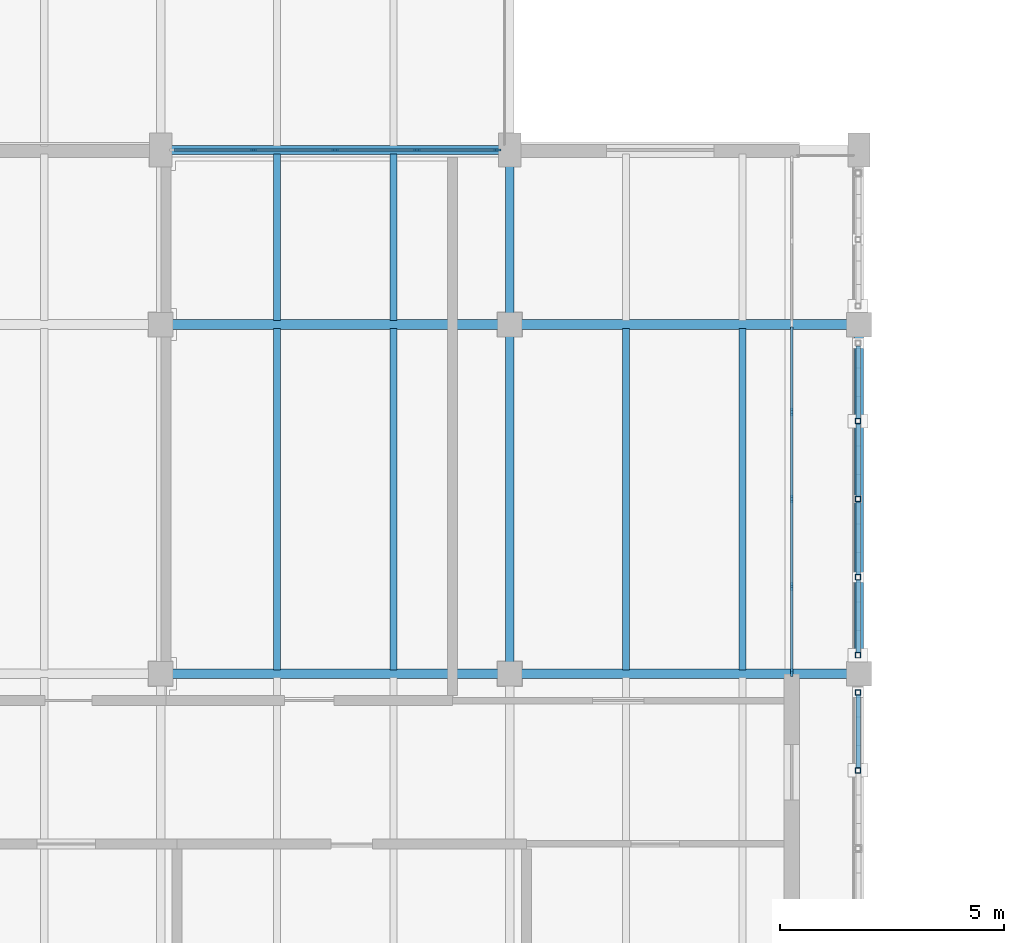
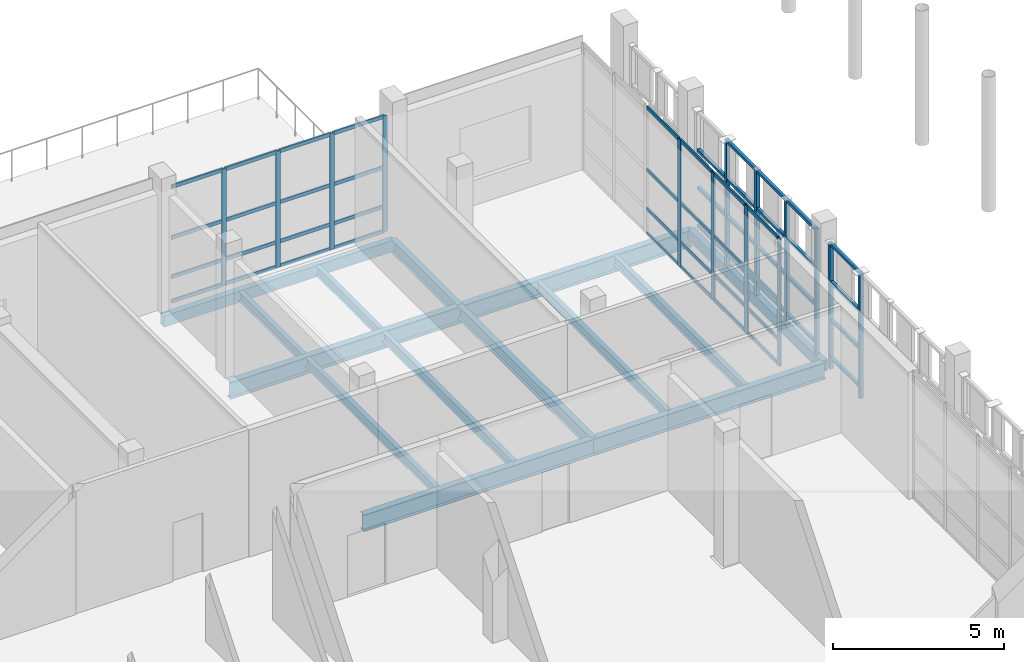
# One storey, part 37 of 138: 65 members, 14 beams, 2 elements without a shape of their own.
"""IFC4 building model written with IfcOpenShell, lengths in metres."""

from ifc_helpers import new_model, si_unit, direction, frame, origin, origin_2d, place, context, subcontext, project, spatial, rectangle, hollow_rectangle, i_section, extrude, material, layer, layer_set, material_profile, profile_set, type_object, element, aggregate, save


model = new_model("IFC4")

# Units and contexts
model_context = context("Model", 3, precision=1e-05, world=origin(), true_north=direction((0.0, 1.0)))
body_context = subcontext(model_context, "Body", "Model", "MODEL_VIEW")
ifc_project = project(units=[si_unit("LENGTHUNIT", "METRE"), si_unit("AREAUNIT", "SQUARE_METRE"), si_unit("VOLUMEUNIT", "CUBIC_METRE"), si_unit("PLANEANGLEUNIT", "RADIAN"), si_unit("MASSUNIT", "GRAM", prefix="KILO")], contexts=[model_context])

# Site, building, storey
site_placement = place(None, origin())
site = spatial("IfcSite", under=ifc_project, at=site_placement, CompositionType="ELEMENT")
building_placement = place(site_placement, origin())
building = spatial("IfcBuilding", under=site, at=building_placement, Name="Celorna Specialist Clinic", CompositionType="ELEMENT")
storey_placement = place(building_placement, frame((0.0, 0.0, 4.800048828125)))
storey = spatial("IfcBuildingStorey", under=building, at=storey_placement, Name="L01", CompositionType="ELEMENT", Elevation=4.800048828125)

# Beams
ifc_material_1 = material(Name="Steel S355", Category="steel")
ifc_material_profile_1 = material_profile(ifc_material_1, i_section(OverallWidth=0.219970703125, OverallDepth=0.60009765625, WebThickness=0.011962890625, FlangeThickness=0.01904296875, at=origin_2d()), Name="IPE 600")
ifc_profile_set_1 = profile_set([ifc_material_profile_1], Name="Steel S355")
beam_type_1 = type_object("IfcBeamType", Name="BM-06", PredefinedType="BEAM", material=ifc_profile_set_1)
for number, where, z_axis, x_axis, name in (
    (1, (31.199951171875, 50.699951171875, -0.64013671875), (1.0, 0.0, 0.0), (0.0, 1.0, 0.0), "Primary girder BM-06 #373"),
    (2, (39.0, 50.699951171875, -0.64013671875), (1.0, 0.0, 0.0), (0.0, 1.0, 0.0), "Primary girder BM-06 #374"),
    (3, (31.199951171875, 58.5, -0.64013671875), (1.0, 0.0, 0.0), (0.0, 1.0, 0.0), "Primary girder BM-06 #378"),
    (4, (39.0, 58.5, -0.64013671875), (1.0, 0.0, 0.0), (0.0, 1.0, 0.0), "Primary girder BM-06 #379"),
):
    element("IfcBeam", number, at=place(storey_placement, frame(where, z_axis=z_axis, x_axis=x_axis)), inside=storey, type_object=beam_type_1, Name=name, PredefinedType="BEAM", context=body_context, shape_type="SweptSolid", body=[
        extrude(i_section(OverallWidth=0.219970703125, OverallDepth=0.60009765625, WebThickness=0.011962890625, FlangeThickness=0.01904296875, at=origin_2d()), origin(), (0.0, 0.0, 1.0), 7.800048828125),
    ])
ifc_material_profile_2 = material_profile(ifc_material_1, i_section(OverallWidth=0.18994140625, OverallDepth=0.449951171875, WebThickness=0.009521484375, FlangeThickness=0.0146484375, at=origin_2d()), Name="IPE 450")
ifc_profile_set_2 = profile_set([ifc_material_profile_2], Name="Steel S355")
beam_type_2 = type_object("IfcBeamType", Name="BM-09", PredefinedType="BEAM", material=ifc_profile_set_2)
beam_1_placement = place(storey_placement, frame((39.0, 50.699951171875, -0.56494140625), z_axis=(0.0, 1.0, 0.0), x_axis=(-1.0, 0.0, 0.0)))
element("IfcBeam", 5, at=beam_1_placement, inside=storey, type_object=beam_type_2, Name="Transverse girder BM-09 #408", PredefinedType="BEAM", context=body_context, shape_type="SweptSolid", body=[
    extrude(i_section(OverallWidth=0.18994140625, OverallDepth=0.449951171875, WebThickness=0.009521484375, FlangeThickness=0.0146484375, at=origin_2d()), origin(), (0.0, 0.0, 1.0), 7.800048828125),
])
beam_2_placement = place(storey_placement, frame((39.0, 58.5, -0.56494140625), z_axis=(0.0, 1.0, 0.0), x_axis=(-1.0, 0.0, 0.0)))
element("IfcBeam", 6, at=beam_2_placement, inside=storey, type_object=beam_type_2, Name="Transverse girder BM-09 #409", PredefinedType="BEAM", context=body_context, shape_type="SweptSolid", body=[
    extrude(i_section(OverallWidth=0.18994140625, OverallDepth=0.449951171875, WebThickness=0.009521484375, FlangeThickness=0.0146484375, at=origin_2d()), origin(), (0.0, 0.0, 1.0), 3.89990234375),
])
ifc_material_profile_3 = material_profile(ifc_material_1, i_section(OverallWidth=0.159912109375, OverallDepth=0.330078125, WebThickness=0.007568359375, FlangeThickness=0.011474609375, at=origin_2d()), Name="IPE 330")
ifc_profile_set_3 = profile_set([ifc_material_profile_3], Name="Steel S355")
beam_type_3 = type_object("IfcBeamType", Name="BM-12", PredefinedType="JOIST", material=ifc_profile_set_3)
for number, where, z_axis, x_axis, name in (
    (7, (33.800048828125, 50.7880859375, -0.505126953125), (0.0, 1.0, 0.0), (-1.0, 0.0, 0.0), "Secondary floor joist BM-12 #442"),
    (8, (36.39990234375, 50.7880859375, -0.505126953125), (0.0, 1.0, 0.0), (-1.0, 0.0, 0.0), "Secondary floor joist BM-12 #443"),
):
    element("IfcBeam", number, at=place(storey_placement, frame(where, z_axis=z_axis, x_axis=x_axis)), inside=storey, type_object=beam_type_3, Name=name, PredefinedType="JOIST", context=body_context, shape_type="SweptSolid", body=[
        extrude(i_section(OverallWidth=0.159912109375, OverallDepth=0.330078125, WebThickness=0.007568359375, FlangeThickness=0.011474609375, at=origin_2d()), origin(), (0.0, 0.0, 1.0), 7.6240234375),
    ])
for number, where, z_axis, x_axis, name in (
    (9, (33.800048828125, 58.587890625, -0.505126953125), (0.0, 1.0, 0.0), (-1.0, 0.0, 0.0), "Secondary floor joist BM-12 #444"),
    (10, (36.39990234375, 58.587890625, -0.505126953125), (0.0, 1.0, 0.0), (-1.0, 0.0, 0.0), "Secondary floor joist BM-12 #445"),
):
    element("IfcBeam", number, at=place(storey_placement, frame(where, z_axis=z_axis, x_axis=x_axis)), inside=storey, type_object=beam_type_3, Name=name, PredefinedType="JOIST", context=body_context, shape_type="SweptSolid", body=[
        extrude(i_section(OverallWidth=0.159912109375, OverallDepth=0.330078125, WebThickness=0.007568359375, FlangeThickness=0.011474609375, at=origin_2d()), origin(), (0.0, 0.0, 1.0), 3.72412109375),
    ])
for number, where, z_axis, x_axis, name in (
    (11, (41.60009765625, 50.7880859375, -0.505126953125), (0.0, 1.0, 0.0), (-1.0, 0.0, 0.0), "Secondary floor joist BM-12 #450"),
    (12, (44.199951171875, 50.7880859375, -0.505126953125), (0.0, 1.0, 0.0), (-1.0, 0.0, 0.0), "Secondary floor joist BM-12 #451"),
):
    element("IfcBeam", number, at=place(storey_placement, frame(where, z_axis=z_axis, x_axis=x_axis)), inside=storey, type_object=beam_type_3, Name=name, PredefinedType="JOIST", context=body_context, shape_type="SweptSolid", body=[
        extrude(i_section(OverallWidth=0.159912109375, OverallDepth=0.330078125, WebThickness=0.007568359375, FlangeThickness=0.011474609375, at=origin_2d()), origin(), (0.0, 0.0, 1.0), 7.6240234375),
    ])
ifc_material_profile_4 = material_profile(ifc_material_1, hollow_rectangle(XDim=0.199951171875, YDim=0.39990234375, WallThickness=0.011962890625, at=origin_2d()), Name="RHS 200x400x12")
ifc_profile_set_4 = profile_set([ifc_material_profile_4], Name="Steel S355")
beam_type_4 = type_object("IfcBeamType", Name="BM-15", PredefinedType="SPANDREL", material=ifc_profile_set_4)
for number, where, z_axis, x_axis, name in (
    (13, (31.199951171875, 62.39990234375, -0.5400390625), (1.0, 0.0, 0.0), (0.0, 1.0, 0.0), "Spandrel beam BM-15 #384"),
    (14, (46.800048828125, 50.699951171875, -0.5400390625), (0.0, 1.0, 0.0), (-1.0, 0.0, 0.0), "Spandrel beam BM-15 #412"),
):
    element("IfcBeam", number, at=place(storey_placement, frame(where, z_axis=z_axis, x_axis=x_axis)), inside=storey, type_object=beam_type_4, Name=name, PredefinedType="SPANDREL", context=body_context, shape_type="SweptSolid", body=[
        extrude(hollow_rectangle(XDim=0.199951171875, YDim=0.39990234375, WallThickness=0.011962890625, at=origin_2d()), origin(), (0.0, 0.0, 1.0), 7.800048828125),
    ])

# Members
ifc_material_profile_5 = material_profile(ifc_material_1, hollow_rectangle(XDim=0.1201171875, YDim=0.1201171875, WallThickness=0.008056640625, at=origin_2d()), Name="SHS 120x120x8")
ifc_profile_set_5 = profile_set([ifc_material_profile_5], Name="Steel S355")
member_type_1 = type_object("IfcMemberType", Name="MB-11", PredefinedType="STUD", material=ifc_profile_set_5)
for number, where, z_axis, x_axis, name in (
    (15, (46.780029296875, 48.54248046875, -0.360107421875), (0.0, 0.0, 1.0), (1.0, 0.0, 0.0), "Perforated screen steel post #1489"),
    (16, (46.780029296875, 50.284912109375, -0.360107421875), (0.0, 0.0, 1.0), (1.0, 0.0, 0.0), "Perforated screen steel post #1490"),
    (17, (46.780029296875, 51.114990234375, -0.360107421875), (0.0, 0.0, 1.0), (1.0, 0.0, 0.0), "Perforated screen steel post #1507"),
    (18, (46.780029296875, 52.857421875, -0.360107421875), (0.0, 0.0, 1.0), (1.0, 0.0, 0.0), "Perforated screen steel post #1508"),
    (19, (46.780029296875, 54.60009765625, -0.360107421875), (0.0, 0.0, 1.0), (1.0, 0.0, 0.0), "Perforated screen steel post #1509"),
    (20, (46.780029296875, 56.342529296875, -0.360107421875), (0.0, 0.0, 1.0), (1.0, 0.0, 0.0), "Perforated screen steel post #1510"),
):
    element("IfcMember", number, at=place(storey_placement, frame(where, z_axis=z_axis, x_axis=x_axis)), inside=storey, type_object=member_type_1, Name=name, PredefinedType="STUD", context=body_context, shape_type="SweptSolid", body=[
        extrude(hollow_rectangle(XDim=0.1201171875, YDim=0.1201171875, WallThickness=0.008056640625, at=origin_2d()), origin(), (0.0, 0.0, 1.0), 4.5),
    ])
ifc_material_profile_6 = material_profile(ifc_material_1, hollow_rectangle(XDim=0.10009765625, YDim=0.10009765625, WallThickness=0.006103515625, at=origin_2d()), Name="SHS 100x100x6")
ifc_profile_set_6 = profile_set([ifc_material_profile_6], Name="Steel S355")
member_type_2 = type_object("IfcMemberType", Name="MB-12", PredefinedType="STUD", material=ifc_profile_set_6)
for number, where, z_axis, x_axis, name in (
    (21, (46.780029296875, 48.6025390625, 0.050048828125), (0.0, 1.0, 0.0), (-1.0, 0.0, 0.0), "Perforated screen rail #1503"),
    (22, (46.780029296875, 48.6025390625, 1.396728515625), (0.0, 1.0, 0.0), (-1.0, 0.0, 0.0), "Perforated screen rail #1504"),
    (23, (46.780029296875, 48.6025390625, 2.7431640625), (0.0, 1.0, 0.0), (-1.0, 0.0, 0.0), "Perforated screen rail #1505"),
    (24, (46.780029296875, 48.6025390625, 4.08984375), (0.0, 1.0, 0.0), (-1.0, 0.0, 0.0), "Perforated screen rail #1506"),
    (25, (46.780029296875, 51.175048828125, 0.050048828125), (0.0, 1.0, 0.0), (-1.0, 0.0, 0.0), "Perforated screen rail #1512"),
    (26, (46.780029296875, 51.175048828125, 1.396728515625), (0.0, 1.0, 0.0), (-1.0, 0.0, 0.0), "Perforated screen rail #1513"),
    (27, (46.780029296875, 51.175048828125, 2.7431640625), (0.0, 1.0, 0.0), (-1.0, 0.0, 0.0), "Perforated screen rail #1514"),
    (28, (46.780029296875, 51.175048828125, 4.08984375), (0.0, 1.0, 0.0), (-1.0, 0.0, 0.0), "Perforated screen rail #1515"),
    (29, (46.780029296875, 52.91748046875, 0.050048828125), (0.0, 1.0, 0.0), (-1.0, 0.0, 0.0), "Perforated screen rail #1516"),
    (30, (46.780029296875, 52.91748046875, 1.396728515625), (0.0, 1.0, 0.0), (-1.0, 0.0, 0.0), "Perforated screen rail #1517"),
    (31, (46.780029296875, 52.91748046875, 2.7431640625), (0.0, 1.0, 0.0), (-1.0, 0.0, 0.0), "Perforated screen rail #1518"),
    (32, (46.780029296875, 52.91748046875, 4.08984375), (0.0, 1.0, 0.0), (-1.0, 0.0, 0.0), "Perforated screen rail #1519"),
    (33, (46.780029296875, 54.659912109375, 0.050048828125), (0.0, 1.0, 0.0), (-1.0, 0.0, 0.0), "Perforated screen rail #1520"),
    (34, (46.780029296875, 54.659912109375, 1.396728515625), (0.0, 1.0, 0.0), (-1.0, 0.0, 0.0), "Perforated screen rail #1521"),
    (35, (46.780029296875, 54.659912109375, 2.7431640625), (0.0, 1.0, 0.0), (-1.0, 0.0, 0.0), "Perforated screen rail #1522"),
    (36, (46.780029296875, 54.659912109375, 4.08984375), (0.0, 1.0, 0.0), (-1.0, 0.0, 0.0), "Perforated screen rail #1523"),
):
    element("IfcMember", number, at=place(storey_placement, frame(where, z_axis=z_axis, x_axis=x_axis)), inside=storey, type_object=member_type_2, Name=name, PredefinedType="STUD", context=body_context, shape_type="SweptSolid", body=[
        extrude(hollow_rectangle(XDim=0.10009765625, YDim=0.10009765625, WallThickness=0.006103515625, at=origin_2d()), origin(), (0.0, 0.0, 1.0), 1.62255859375),
    ])
for number, where, z_axis, x_axis, name in (
    (37, (46.780029296875, 56.402587890625, 0.050048828125), (0.0, 1.0, 0.0), (-1.0, 0.0, 0.0), "Perforated screen rail #1524"),
    (38, (46.780029296875, 56.402587890625, 1.396728515625), (0.0, 1.0, 0.0), (-1.0, 0.0, 0.0), "Perforated screen rail #1525"),
    (39, (46.780029296875, 56.402587890625, 2.7431640625), (0.0, 1.0, 0.0), (-1.0, 0.0, 0.0), "Perforated screen rail #1526"),
):
    element("IfcMember", number, at=place(storey_placement, frame(where, z_axis=z_axis, x_axis=x_axis)), inside=storey, type_object=member_type_2, Name=name, PredefinedType="STUD", context=body_context, shape_type="SweptSolid", body=[
        extrude(hollow_rectangle(XDim=0.10009765625, YDim=0.10009765625, WallThickness=0.006103515625, at=origin_2d()), origin(), (0.0, 0.0, 1.0), 1.622314453125),
    ])

# Curtain wall, members
ifc_material_2 = material(Name="Thermally broken aluminium and solar-control glass curtain wall", Category="aluminium")
ifc_layer_1 = layer(ifc_material_2, 0.159912109375, Name="Thermally broken aluminium and solar-control glass curtain wall")
ifc_layer_set_1 = layer_set([ifc_layer_1], Name="Thermally broken aluminium and solar-control glass curtain wall")
curtain_wall_type_1 = type_object("IfcCurtainWallType", Name="CW-23", PredefinedType="NOTDEFINED", material=ifc_layer_set_1)
curtain_wall_1_placement = place(storey_placement, origin())
curtain_wall_1 = element("IfcCurtainWall", 40, at=curtain_wall_1_placement, inside=storey, type_object=curtain_wall_type_1, Name="Curtain wall CW-23 #53", PredefinedType="NOTDEFINED")
ifc_material_3 = material(Name="Anodized aluminium mullion", Category="aluminium")
ifc_material_profile_7 = material_profile(ifc_material_3, rectangle(XDim=0.050048828125, YDim=0.159912109375, at=origin_2d()), Name="ALU MULLION 50x160")
ifc_profile_set_7 = profile_set([ifc_material_profile_7], Name="Anodized aluminium mullion")
member_type_3 = type_object("IfcMemberType", Name="ML-01", PredefinedType="MULLION", material=ifc_profile_set_7)
member_1_placement = place(storey_placement, frame((33.277099609375, 62.39990234375, 0.0), z_axis=(0.0, 0.0, 1.0), x_axis=(0.0, 1.0, 0.0)))
member_1 = element("IfcMember", 41, at=member_1_placement, type_object=member_type_3, Name="CW-23 mullion 2", PredefinedType="MULLION", context=body_context, shape_type="SweptSolid", body=[
    extrude(rectangle(XDim=0.050048828125, YDim=0.159912109375, at=origin_2d()), origin(), (0.0, 0.0, 1.0), 4.139892578125),
])
member_2_placement = place(storey_placement, frame((35.10009765625, 62.39990234375, 0.0), z_axis=(0.0, 0.0, 1.0), x_axis=(0.0, 1.0, 0.0)))
member_2 = element("IfcMember", 42, at=member_2_placement, type_object=member_type_3, Name="CW-23 mullion 3", PredefinedType="MULLION", context=body_context, shape_type="SweptSolid", body=[
    extrude(rectangle(XDim=0.050048828125, YDim=0.159912109375, at=origin_2d()), origin(), (0.0, 0.0, 1.0), 4.139892578125),
])
member_3_placement = place(storey_placement, frame((36.923095703125, 62.39990234375, 0.0), z_axis=(0.0, 0.0, 1.0), x_axis=(0.0, 1.0, 0.0)))
member_3 = element("IfcMember", 43, at=member_3_placement, type_object=member_type_3, Name="CW-23 mullion 4", PredefinedType="MULLION", context=body_context, shape_type="SweptSolid", body=[
    extrude(rectangle(XDim=0.050048828125, YDim=0.159912109375, at=origin_2d()), origin(), (0.0, 0.0, 1.0), 4.139892578125),
])
member_4_placement = place(storey_placement, frame((38.720947265625, 62.39990234375, 0.0), z_axis=(0.0, 0.0, 1.0), x_axis=(0.0, 1.0, 0.0)))
member_4 = element("IfcMember", 44, at=member_4_placement, type_object=member_type_3, Name="CW-23 mullion 5", PredefinedType="MULLION", context=body_context, shape_type="SweptSolid", body=[
    extrude(rectangle(XDim=0.050048828125, YDim=0.159912109375, at=origin_2d()), origin(), (0.0, 0.0, 1.0), 4.139892578125),
])

ifc_layer_2 = layer(ifc_material_2, 0.159912109375, Name="Thermally broken aluminium and solar-control glass curtain wall")
ifc_layer_set_2 = layer_set([ifc_layer_2], Name="Thermally broken aluminium and solar-control glass curtain wall")
curtain_wall_type_2 = type_object("IfcCurtainWallType", Name="CW-26", PredefinedType="NOTDEFINED", material=ifc_layer_set_2)
curtain_wall_2_placement = place(storey_placement, origin())
curtain_wall_2 = element("IfcCurtainWall", 45, at=curtain_wall_2_placement, inside=storey, type_object=curtain_wall_type_2, Name="Curtain wall CW-26 #55", PredefinedType="NOTDEFINED")
ifc_material_profile_8 = material_profile(ifc_material_3, rectangle(XDim=0.050048828125, YDim=0.179931640625, at=origin_2d()), Name="ALU MULLION 50x180")
ifc_profile_set_8 = profile_set([ifc_material_profile_8], Name="Anodized aluminium mullion")
member_type_4 = type_object("IfcMemberType", Name="ML-02", PredefinedType="MULLION", material=ifc_profile_set_8)
member_5_placement = place(storey_placement, frame((45.300048828125, 56.548095703125, 0.0), z_axis=(0.0, 0.0, 1.0), x_axis=(1.0, 0.0, 0.0)))
member_5 = element("IfcMember", 46, at=member_5_placement, type_object=member_type_4, Name="CW-26 mullion 2", PredefinedType="MULLION", context=body_context, shape_type="SweptSolid", body=[
    extrude(rectangle(XDim=0.050048828125, YDim=0.179931640625, at=origin_2d()), origin(), (0.0, 0.0, 1.0), 4.5400390625),
])
member_6_placement = place(storey_placement, frame((45.300048828125, 54.60009765625, 0.0), z_axis=(0.0, 0.0, 1.0), x_axis=(1.0, 0.0, 0.0)))
member_6 = element("IfcMember", 47, at=member_6_placement, type_object=member_type_4, Name="CW-26 mullion 3", PredefinedType="MULLION", context=body_context, shape_type="SweptSolid", body=[
    extrude(rectangle(XDim=0.050048828125, YDim=0.179931640625, at=origin_2d()), origin(), (0.0, 0.0, 1.0), 4.5400390625),
])
member_7_placement = place(storey_placement, frame((45.300048828125, 52.652099609375, 0.0), z_axis=(0.0, 0.0, 1.0), x_axis=(1.0, 0.0, 0.0)))
member_7 = element("IfcMember", 48, at=member_7_placement, type_object=member_type_4, Name="CW-26 mullion 4", PredefinedType="MULLION", context=body_context, shape_type="SweptSolid", body=[
    extrude(rectangle(XDim=0.050048828125, YDim=0.179931640625, at=origin_2d()), origin(), (0.0, 0.0, 1.0), 4.5400390625),
])
member_8_placement = place(storey_placement, frame((45.300048828125, 50.72900390625, 0.0), z_axis=(0.0, 0.0, 1.0), x_axis=(1.0, 0.0, 0.0)))
member_8 = element("IfcMember", 49, at=member_8_placement, type_object=member_type_4, Name="CW-26 mullion 5", PredefinedType="MULLION", context=body_context, shape_type="SweptSolid", body=[
    extrude(rectangle(XDim=0.050048828125, YDim=0.179931640625, at=origin_2d()), origin(), (0.0, 0.0, 1.0), 4.5400390625),
])

# Member
ifc_material_4 = material(Name="Anodized aluminium transom", Category="aluminium")
ifc_material_profile_9 = material_profile(ifc_material_4, rectangle(XDim=0.050048828125, YDim=0.1298828125, at=origin_2d()), Name="ALU TRANSOM 50x130")
ifc_profile_set_9 = profile_set([ifc_material_profile_9], Name="Anodized aluminium transom")
member_type_5 = type_object("IfcMemberType", Name="TR-01", PredefinedType="USERDEFINED", material=ifc_profile_set_9)
member_9_placement = place(storey_placement, frame((31.50390625, 62.39990234375, 0.02490234375), z_axis=(1.0, 0.0, 0.0), x_axis=(0.0, 1.0, 0.0)))
member_9 = element("IfcMember", 50, at=member_9_placement, type_object=member_type_5, Name="CW-23 transom 1.1", ObjectType="TRANSOM", PredefinedType="USERDEFINED", context=body_context, shape_type="SweptSolid", body=[
    extrude(rectangle(XDim=0.050048828125, YDim=0.1298828125, at=origin_2d()), origin(), (0.0, 0.0, 1.0), 1.748046875),
])

member_10_placement = place(storey_placement, frame((31.50390625, 62.39990234375, 0.89990234375), z_axis=(1.0, 0.0, 0.0), x_axis=(0.0, 1.0, 0.0)))
member_10 = element("IfcMember", 51, at=member_10_placement, type_object=member_type_5, Name="CW-23 transom 1.2", ObjectType="TRANSOM", PredefinedType="USERDEFINED", context=body_context, shape_type="SweptSolid", body=[
    extrude(rectangle(XDim=0.050048828125, YDim=0.1298828125, at=origin_2d()), origin(), (0.0, 0.0, 1.0), 1.748046875),
])

member_11_placement = place(storey_placement, frame((31.50390625, 62.39990234375, 2.300048828125), z_axis=(1.0, 0.0, 0.0), x_axis=(0.0, 1.0, 0.0)))
member_11 = element("IfcMember", 52, at=member_11_placement, type_object=member_type_5, Name="CW-23 transom 1.3", ObjectType="TRANSOM", PredefinedType="USERDEFINED", context=body_context, shape_type="SweptSolid", body=[
    extrude(rectangle(XDim=0.050048828125, YDim=0.1298828125, at=origin_2d()), origin(), (0.0, 0.0, 1.0), 1.748046875),
])

member_12_placement = place(storey_placement, frame((31.50390625, 62.39990234375, 4.114990234375), z_axis=(1.0, 0.0, 0.0), x_axis=(0.0, 1.0, 0.0)))
member_12 = element("IfcMember", 53, at=member_12_placement, type_object=member_type_5, Name="CW-23 transom 1.4", ObjectType="TRANSOM", PredefinedType="USERDEFINED", context=body_context, shape_type="SweptSolid", body=[
    extrude(rectangle(XDim=0.050048828125, YDim=0.1298828125, at=origin_2d()), origin(), (0.0, 0.0, 1.0), 1.748046875),
])

member_13_placement = place(storey_placement, frame((33.302001953125, 62.39990234375, 0.02490234375), z_axis=(1.0, 0.0, 0.0), x_axis=(0.0, 1.0, 0.0)))
member_13 = element("IfcMember", 54, at=member_13_placement, type_object=member_type_5, Name="CW-23 transom 2.1", ObjectType="TRANSOM", PredefinedType="USERDEFINED", context=body_context, shape_type="SweptSolid", body=[
    extrude(rectangle(XDim=0.050048828125, YDim=0.1298828125, at=origin_2d()), origin(), (0.0, 0.0, 1.0), 1.77294921875),
])

member_14_placement = place(storey_placement, frame((33.302001953125, 62.39990234375, 0.89990234375), z_axis=(1.0, 0.0, 0.0), x_axis=(0.0, 1.0, 0.0)))
member_14 = element("IfcMember", 55, at=member_14_placement, type_object=member_type_5, Name="CW-23 transom 2.2", ObjectType="TRANSOM", PredefinedType="USERDEFINED", context=body_context, shape_type="SweptSolid", body=[
    extrude(rectangle(XDim=0.050048828125, YDim=0.1298828125, at=origin_2d()), origin(), (0.0, 0.0, 1.0), 1.77294921875),
])

member_15_placement = place(storey_placement, frame((33.302001953125, 62.39990234375, 2.300048828125), z_axis=(1.0, 0.0, 0.0), x_axis=(0.0, 1.0, 0.0)))
member_15 = element("IfcMember", 56, at=member_15_placement, type_object=member_type_5, Name="CW-23 transom 2.3", ObjectType="TRANSOM", PredefinedType="USERDEFINED", context=body_context, shape_type="SweptSolid", body=[
    extrude(rectangle(XDim=0.050048828125, YDim=0.1298828125, at=origin_2d()), origin(), (0.0, 0.0, 1.0), 1.77294921875),
])

member_16_placement = place(storey_placement, frame((33.302001953125, 62.39990234375, 4.114990234375), z_axis=(1.0, 0.0, 0.0), x_axis=(0.0, 1.0, 0.0)))
member_16 = element("IfcMember", 57, at=member_16_placement, type_object=member_type_5, Name="CW-23 transom 2.4", ObjectType="TRANSOM", PredefinedType="USERDEFINED", context=body_context, shape_type="SweptSolid", body=[
    extrude(rectangle(XDim=0.050048828125, YDim=0.1298828125, at=origin_2d()), origin(), (0.0, 0.0, 1.0), 1.77294921875),
])

member_17_placement = place(storey_placement, frame((35.125, 62.39990234375, 0.02490234375), z_axis=(1.0, 0.0, 0.0), x_axis=(0.0, 1.0, 0.0)))
member_17 = element("IfcMember", 58, at=member_17_placement, type_object=member_type_5, Name="CW-23 transom 3.1", ObjectType="TRANSOM", PredefinedType="USERDEFINED", context=body_context, shape_type="SweptSolid", body=[
    extrude(rectangle(XDim=0.050048828125, YDim=0.1298828125, at=origin_2d()), origin(), (0.0, 0.0, 1.0), 1.77294921875),
])

member_18_placement = place(storey_placement, frame((35.125, 62.39990234375, 0.89990234375), z_axis=(1.0, 0.0, 0.0), x_axis=(0.0, 1.0, 0.0)))
member_18 = element("IfcMember", 59, at=member_18_placement, type_object=member_type_5, Name="CW-23 transom 3.2", ObjectType="TRANSOM", PredefinedType="USERDEFINED", context=body_context, shape_type="SweptSolid", body=[
    extrude(rectangle(XDim=0.050048828125, YDim=0.1298828125, at=origin_2d()), origin(), (0.0, 0.0, 1.0), 1.77294921875),
])

member_19_placement = place(storey_placement, frame((35.125, 62.39990234375, 2.300048828125), z_axis=(1.0, 0.0, 0.0), x_axis=(0.0, 1.0, 0.0)))
member_19 = element("IfcMember", 60, at=member_19_placement, type_object=member_type_5, Name="CW-23 transom 3.3", ObjectType="TRANSOM", PredefinedType="USERDEFINED", context=body_context, shape_type="SweptSolid", body=[
    extrude(rectangle(XDim=0.050048828125, YDim=0.1298828125, at=origin_2d()), origin(), (0.0, 0.0, 1.0), 1.77294921875),
])

member_20_placement = place(storey_placement, frame((35.125, 62.39990234375, 4.114990234375), z_axis=(1.0, 0.0, 0.0), x_axis=(0.0, 1.0, 0.0)))
member_20 = element("IfcMember", 61, at=member_20_placement, type_object=member_type_5, Name="CW-23 transom 3.4", ObjectType="TRANSOM", PredefinedType="USERDEFINED", context=body_context, shape_type="SweptSolid", body=[
    extrude(rectangle(XDim=0.050048828125, YDim=0.1298828125, at=origin_2d()), origin(), (0.0, 0.0, 1.0), 1.77294921875),
])

member_21_placement = place(storey_placement, frame((36.947998046875, 62.39990234375, 0.02490234375), z_axis=(1.0, 0.0, 0.0), x_axis=(0.0, 1.0, 0.0)))
member_21 = element("IfcMember", 62, at=member_21_placement, type_object=member_type_5, Name="CW-23 transom 4.1", ObjectType="TRANSOM", PredefinedType="USERDEFINED", context=body_context, shape_type="SweptSolid", body=[
    extrude(rectangle(XDim=0.050048828125, YDim=0.1298828125, at=origin_2d()), origin(), (0.0, 0.0, 1.0), 1.748046875),
])

member_22_placement = place(storey_placement, frame((36.947998046875, 62.39990234375, 0.89990234375), z_axis=(1.0, 0.0, 0.0), x_axis=(0.0, 1.0, 0.0)))
member_22 = element("IfcMember", 63, at=member_22_placement, type_object=member_type_5, Name="CW-23 transom 4.2", ObjectType="TRANSOM", PredefinedType="USERDEFINED", context=body_context, shape_type="SweptSolid", body=[
    extrude(rectangle(XDim=0.050048828125, YDim=0.1298828125, at=origin_2d()), origin(), (0.0, 0.0, 1.0), 1.748046875),
])

member_23_placement = place(storey_placement, frame((36.947998046875, 62.39990234375, 2.300048828125), z_axis=(1.0, 0.0, 0.0), x_axis=(0.0, 1.0, 0.0)))
member_23 = element("IfcMember", 64, at=member_23_placement, type_object=member_type_5, Name="CW-23 transom 4.3", ObjectType="TRANSOM", PredefinedType="USERDEFINED", context=body_context, shape_type="SweptSolid", body=[
    extrude(rectangle(XDim=0.050048828125, YDim=0.1298828125, at=origin_2d()), origin(), (0.0, 0.0, 1.0), 1.748046875),
])

member_24_placement = place(storey_placement, frame((36.947998046875, 62.39990234375, 4.114990234375), z_axis=(1.0, 0.0, 0.0), x_axis=(0.0, 1.0, 0.0)))
member_24 = element("IfcMember", 65, at=member_24_placement, type_object=member_type_5, Name="CW-23 transom 4.4", ObjectType="TRANSOM", PredefinedType="USERDEFINED", context=body_context, shape_type="SweptSolid", body=[
    extrude(rectangle(XDim=0.050048828125, YDim=0.1298828125, at=origin_2d()), origin(), (0.0, 0.0, 1.0), 1.748046875),
])

aggregate(curtain_wall_1, [member_1, member_2, member_3, member_4, member_9, member_10, member_11, member_12, member_13, member_14, member_15, member_16, member_17, member_18, member_19, member_20, member_21, member_22, member_23, member_24])

member_25_placement = place(storey_placement, frame((45.300048828125, 58.446044921875, 0.02490234375), z_axis=(0.0, -1.0, 0.0), x_axis=(1.0, 0.0, 0.0)))
member_25 = element("IfcMember", 66, at=member_25_placement, type_object=member_type_5, Name="CW-26 transom 1.1", ObjectType="TRANSOM", PredefinedType="USERDEFINED", context=body_context, shape_type="SweptSolid", body=[
    extrude(rectangle(XDim=0.050048828125, YDim=0.1298828125, at=origin_2d()), origin(), (0.0, 0.0, 1.0), 1.873046875),
])

member_26_placement = place(storey_placement, frame((45.300048828125, 58.446044921875, 0.89990234375), z_axis=(0.0, -1.0, 0.0), x_axis=(1.0, 0.0, 0.0)))
member_26 = element("IfcMember", 67, at=member_26_placement, type_object=member_type_5, Name="CW-26 transom 1.2", ObjectType="TRANSOM", PredefinedType="USERDEFINED", context=body_context, shape_type="SweptSolid", body=[
    extrude(rectangle(XDim=0.050048828125, YDim=0.1298828125, at=origin_2d()), origin(), (0.0, 0.0, 1.0), 1.873046875),
])

member_27_placement = place(storey_placement, frame((45.300048828125, 58.446044921875, 2.300048828125), z_axis=(0.0, -1.0, 0.0), x_axis=(1.0, 0.0, 0.0)))
member_27 = element("IfcMember", 68, at=member_27_placement, type_object=member_type_5, Name="CW-26 transom 1.3", ObjectType="TRANSOM", PredefinedType="USERDEFINED", context=body_context, shape_type="SweptSolid", body=[
    extrude(rectangle(XDim=0.050048828125, YDim=0.1298828125, at=origin_2d()), origin(), (0.0, 0.0, 1.0), 1.873046875),
])

member_28_placement = place(storey_placement, frame((45.300048828125, 58.446044921875, 4.514892578125), z_axis=(0.0, -1.0, 0.0), x_axis=(1.0, 0.0, 0.0)))
member_28 = element("IfcMember", 69, at=member_28_placement, type_object=member_type_5, Name="CW-26 transom 1.4", ObjectType="TRANSOM", PredefinedType="USERDEFINED", context=body_context, shape_type="SweptSolid", body=[
    extrude(rectangle(XDim=0.050048828125, YDim=0.1298828125, at=origin_2d()), origin(), (0.0, 0.0, 1.0), 1.873046875),
])

member_29_placement = place(storey_placement, frame((45.300048828125, 56.52294921875, 0.02490234375), z_axis=(0.0, -1.0, 0.0), x_axis=(1.0, 0.0, 0.0)))
member_29 = element("IfcMember", 70, at=member_29_placement, type_object=member_type_5, Name="CW-26 transom 2.1", ObjectType="TRANSOM", PredefinedType="USERDEFINED", context=body_context, shape_type="SweptSolid", body=[
    extrude(rectangle(XDim=0.050048828125, YDim=0.1298828125, at=origin_2d()), origin(), (0.0, 0.0, 1.0), 1.89794921875),
])

member_30_placement = place(storey_placement, frame((45.300048828125, 56.52294921875, 0.89990234375), z_axis=(0.0, -1.0, 0.0), x_axis=(1.0, 0.0, 0.0)))
member_30 = element("IfcMember", 71, at=member_30_placement, type_object=member_type_5, Name="CW-26 transom 2.2", ObjectType="TRANSOM", PredefinedType="USERDEFINED", context=body_context, shape_type="SweptSolid", body=[
    extrude(rectangle(XDim=0.050048828125, YDim=0.1298828125, at=origin_2d()), origin(), (0.0, 0.0, 1.0), 1.89794921875),
])

member_31_placement = place(storey_placement, frame((45.300048828125, 56.52294921875, 2.300048828125), z_axis=(0.0, -1.0, 0.0), x_axis=(1.0, 0.0, 0.0)))
member_31 = element("IfcMember", 72, at=member_31_placement, type_object=member_type_5, Name="CW-26 transom 2.3", ObjectType="TRANSOM", PredefinedType="USERDEFINED", context=body_context, shape_type="SweptSolid", body=[
    extrude(rectangle(XDim=0.050048828125, YDim=0.1298828125, at=origin_2d()), origin(), (0.0, 0.0, 1.0), 1.89794921875),
])

member_32_placement = place(storey_placement, frame((45.300048828125, 56.52294921875, 4.514892578125), z_axis=(0.0, -1.0, 0.0), x_axis=(1.0, 0.0, 0.0)))
member_32 = element("IfcMember", 73, at=member_32_placement, type_object=member_type_5, Name="CW-26 transom 2.4", ObjectType="TRANSOM", PredefinedType="USERDEFINED", context=body_context, shape_type="SweptSolid", body=[
    extrude(rectangle(XDim=0.050048828125, YDim=0.1298828125, at=origin_2d()), origin(), (0.0, 0.0, 1.0), 1.89794921875),
])

member_33_placement = place(storey_placement, frame((45.300048828125, 54.574951171875, 0.02490234375), z_axis=(0.0, -1.0, 0.0), x_axis=(1.0, 0.0, 0.0)))
member_33 = element("IfcMember", 74, at=member_33_placement, type_object=member_type_5, Name="CW-26 transom 3.1", ObjectType="TRANSOM", PredefinedType="USERDEFINED", context=body_context, shape_type="SweptSolid", body=[
    extrude(rectangle(XDim=0.050048828125, YDim=0.1298828125, at=origin_2d()), origin(), (0.0, 0.0, 1.0), 1.89794921875),
])

member_34_placement = place(storey_placement, frame((45.300048828125, 54.574951171875, 0.89990234375), z_axis=(0.0, -1.0, 0.0), x_axis=(1.0, 0.0, 0.0)))
member_34 = element("IfcMember", 75, at=member_34_placement, type_object=member_type_5, Name="CW-26 transom 3.2", ObjectType="TRANSOM", PredefinedType="USERDEFINED", context=body_context, shape_type="SweptSolid", body=[
    extrude(rectangle(XDim=0.050048828125, YDim=0.1298828125, at=origin_2d()), origin(), (0.0, 0.0, 1.0), 1.89794921875),
])

member_35_placement = place(storey_placement, frame((45.300048828125, 54.574951171875, 2.300048828125), z_axis=(0.0, -1.0, 0.0), x_axis=(1.0, 0.0, 0.0)))
member_35 = element("IfcMember", 76, at=member_35_placement, type_object=member_type_5, Name="CW-26 transom 3.3", ObjectType="TRANSOM", PredefinedType="USERDEFINED", context=body_context, shape_type="SweptSolid", body=[
    extrude(rectangle(XDim=0.050048828125, YDim=0.1298828125, at=origin_2d()), origin(), (0.0, 0.0, 1.0), 1.89794921875),
])

member_36_placement = place(storey_placement, frame((45.300048828125, 54.574951171875, 4.514892578125), z_axis=(0.0, -1.0, 0.0), x_axis=(1.0, 0.0, 0.0)))
member_36 = element("IfcMember", 77, at=member_36_placement, type_object=member_type_5, Name="CW-26 transom 3.4", ObjectType="TRANSOM", PredefinedType="USERDEFINED", context=body_context, shape_type="SweptSolid", body=[
    extrude(rectangle(XDim=0.050048828125, YDim=0.1298828125, at=origin_2d()), origin(), (0.0, 0.0, 1.0), 1.89794921875),
])

member_37_placement = place(storey_placement, frame((45.300048828125, 52.626953125, 0.02490234375), z_axis=(0.0, -1.0, 0.0), x_axis=(1.0, 0.0, 0.0)))
member_37 = element("IfcMember", 78, at=member_37_placement, type_object=member_type_5, Name="CW-26 transom 4.1", ObjectType="TRANSOM", PredefinedType="USERDEFINED", context=body_context, shape_type="SweptSolid", body=[
    extrude(rectangle(XDim=0.050048828125, YDim=0.1298828125, at=origin_2d()), origin(), (0.0, 0.0, 1.0), 1.873046875),
])

member_38_placement = place(storey_placement, frame((45.300048828125, 52.626953125, 0.89990234375), z_axis=(0.0, -1.0, 0.0), x_axis=(1.0, 0.0, 0.0)))
member_38 = element("IfcMember", 79, at=member_38_placement, type_object=member_type_5, Name="CW-26 transom 4.2", ObjectType="TRANSOM", PredefinedType="USERDEFINED", context=body_context, shape_type="SweptSolid", body=[
    extrude(rectangle(XDim=0.050048828125, YDim=0.1298828125, at=origin_2d()), origin(), (0.0, 0.0, 1.0), 1.873046875),
])

member_39_placement = place(storey_placement, frame((45.300048828125, 52.626953125, 2.300048828125), z_axis=(0.0, -1.0, 0.0), x_axis=(1.0, 0.0, 0.0)))
member_39 = element("IfcMember", 80, at=member_39_placement, type_object=member_type_5, Name="CW-26 transom 4.3", ObjectType="TRANSOM", PredefinedType="USERDEFINED", context=body_context, shape_type="SweptSolid", body=[
    extrude(rectangle(XDim=0.050048828125, YDim=0.1298828125, at=origin_2d()), origin(), (0.0, 0.0, 1.0), 1.873046875),
])

member_40_placement = place(storey_placement, frame((45.300048828125, 52.626953125, 4.514892578125), z_axis=(0.0, -1.0, 0.0), x_axis=(1.0, 0.0, 0.0)))
member_40 = element("IfcMember", 81, at=member_40_placement, type_object=member_type_5, Name="CW-26 transom 4.4", ObjectType="TRANSOM", PredefinedType="USERDEFINED", context=body_context, shape_type="SweptSolid", body=[
    extrude(rectangle(XDim=0.050048828125, YDim=0.1298828125, at=origin_2d()), origin(), (0.0, 0.0, 1.0), 1.873046875),
])

aggregate(curtain_wall_2, [member_5, member_6, member_7, member_8, member_25, member_26, member_27, member_28, member_29, member_30, member_31, member_32, member_33, member_34, member_35, member_36, member_37, member_38, member_39, member_40])

save(model, "model.ifc")
